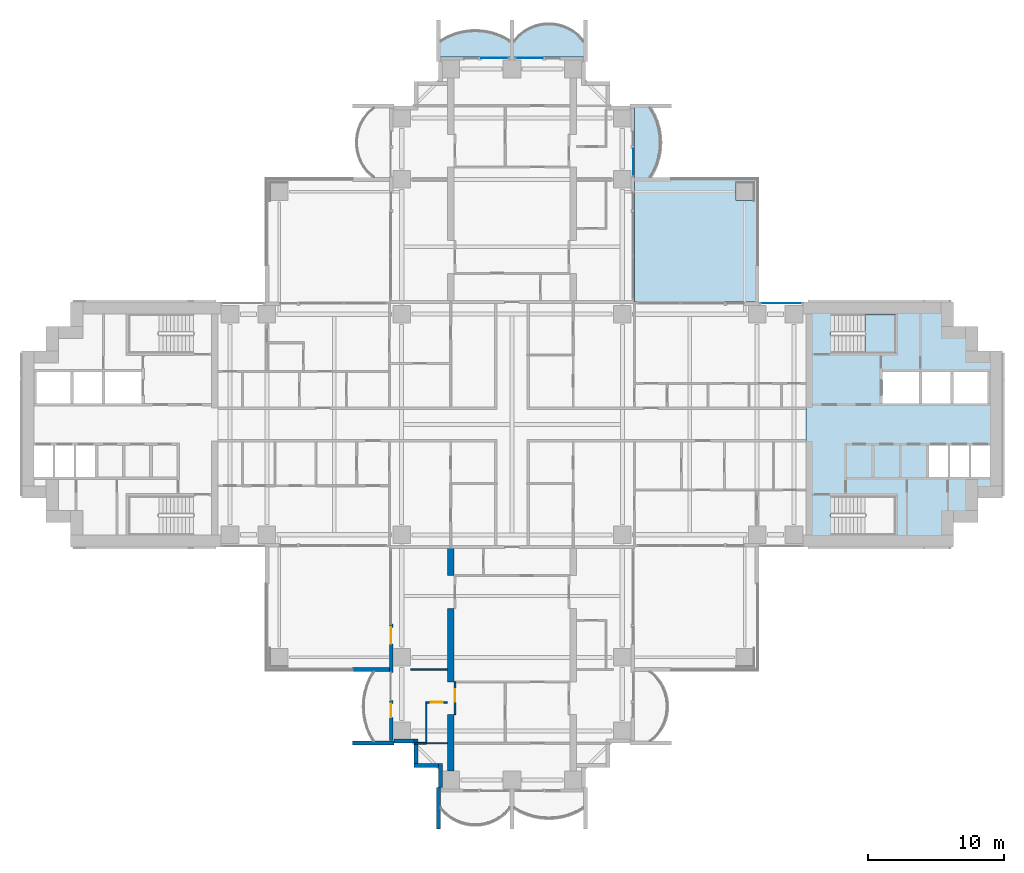
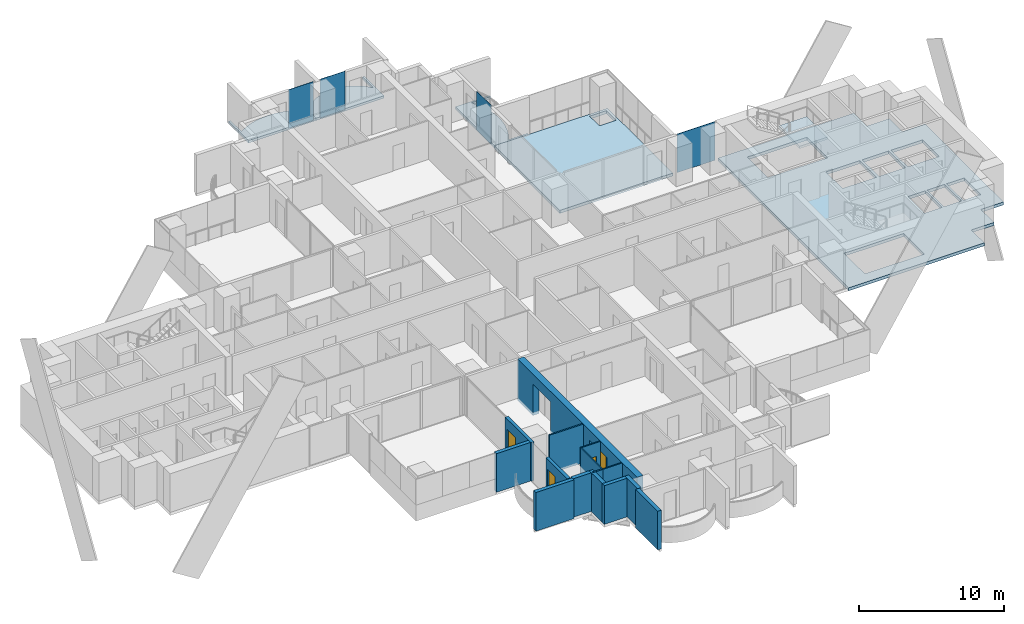
# One storey, part 10 of 23: 16 walls, 6 slabs, 4 doors, 4 plates, 4 openings, 5 elements without a shape of their own.
"""IFC4 building model written with IfcOpenShell, lengths in metres."""

from ifc_helpers import new_model, si_unit, direction, frame, frame_2d, origin, origin_2d, place, context, subcontext, project, spatial, polyline, rectangle, outline, extrude, material, layer, layer_set, material_profile, profile_set, type_object, element, fill, aggregate, save


model = new_model("IFC4")

# Units and contexts
model_context = context("Model", 3, precision=1e-05, world=origin(), true_north=direction((0.0, 1.0)))
body_context = subcontext(model_context, "Body", "Model", "MODEL_VIEW")
ifc_project = project(units=[si_unit("LENGTHUNIT", "METRE"), si_unit("AREAUNIT", "SQUARE_METRE"), si_unit("VOLUMEUNIT", "CUBIC_METRE"), si_unit("PLANEANGLEUNIT", "RADIAN"), si_unit("MASSUNIT", "GRAM", prefix="KILO")], contexts=[model_context])

# Site, building, storey
site_placement = place(None, origin())
site = spatial("IfcSite", under=ifc_project, at=site_placement, CompositionType="ELEMENT")
building_placement = place(site_placement, origin())
building = spatial("IfcBuilding", under=site, at=building_placement, Name="Perihelion Cross Residences", CompositionType="ELEMENT")
storey_placement = place(building_placement, frame((0.0, 0.0, 36.5)))
storey = spatial("IfcBuildingStorey", under=building, at=storey_placement, Name="L05", CompositionType="ELEMENT", Elevation=36.5)

# Slabs
ifc_material_1 = material(Name="Concrete C40/50", Category="concrete")
ifc_layer_1 = layer(ifc_material_1, 0.199951171875)
ifc_layer_set_1 = layer_set([ifc_layer_1], Name="Balcony slab 200")
slab_type_1 = type_object("IfcSlabType", Name="Balcony slab 200", PredefinedType="FLOOR", material=ifc_layer_set_1)
slab_1_placement = place(storey_placement, frame((0.0, 0.0, -0.199951171875)))
element("IfcSlab", 1, at=slab_1_placement, inside=storey, type_object=slab_type_1, Name="Slab BK1 L05 north side east bay 2 balcony", PredefinedType="FLOOR", context=body_context, shape_type="SweptSolid", body=[
    extrude(outline(polyline([(9.0, 18.0), (9.0, 23.39990234375), (11.699951171875, 23.39990234375), (11.699951171875, 23.25), (10.199951171875, 23.25), (10.4853515625, 22.739990234375), (10.694580078125, 22.22998046875), (10.838134765625, 21.719970703125), (10.92236328125, 21.2099609375), (10.949951171875, 20.699951171875), (10.92236328125, 20.18994140625), (10.838134765625, 19.679931640625), (10.694580078125, 19.169921875), (10.4853515625, 18.659912109375), (10.199951171875, 18.14990234375), (11.699951171875, 18.14990234375), (11.699951171875, 18.0), (9.0, 18.0)])), origin(), (0.0, 0.0, 1.0), 0.199951171875),
])
slab_2_placement = place(storey_placement, frame((0.0, 0.0, -0.199951171875)))
element("IfcSlab", 2, at=slab_2_placement, inside=storey, type_object=slab_type_1, Name="Slab BK1 L05 north tip north bay 1 balcony", PredefinedType="FLOOR", context=body_context, shape_type="SweptSolid", body=[
    extrude(outline(polyline([(5.39990234375, 27.0), (0.0, 27.0), (0.0, 29.699951171875), (0.14990234375, 29.699951171875), (0.14990234375, 28.199951171875), (0.542236328125, 28.622314453125), (0.9345703125, 28.924072265625), (1.326904296875, 29.143310546875), (1.71923828125, 29.29736328125), (2.111572265625, 29.39599609375), (2.50390625, 29.444091796875), (2.896240234375, 29.444091796875), (3.28857421875, 29.39599609375), (3.6806640625, 29.29736328125), (4.072998046875, 29.143310546875), (4.46533203125, 28.924072265625), (4.857666015625, 28.622314453125), (5.25, 28.199951171875), (5.25, 29.699951171875), (5.39990234375, 29.699951171875), (5.39990234375, 27.0)])), origin(), (0.0, 0.0, 1.0), 0.199951171875),
])
slab_3_placement = place(storey_placement, frame((0.0, 0.0, -0.199951171875)))
element("IfcSlab", 3, at=slab_3_placement, inside=storey, type_object=slab_type_1, Name="Slab BK1 L05 north tip north bay 2 balcony", PredefinedType="FLOOR", context=body_context, shape_type="SweptSolid", body=[
    extrude(outline(polyline([(0.0, 27.0), (-5.39990234375, 27.0), (-5.39990234375, 29.699951171875), (-5.25, 29.699951171875), (-5.25, 28.199951171875), (-4.739990234375, 28.4853515625), (-4.22998046875, 28.694580078125), (-3.719970703125, 28.838134765625), (-3.2099609375, 28.92236328125), (-2.699951171875, 28.949951171875), (-2.18994140625, 28.92236328125), (-1.679931640625, 28.838134765625), (-1.169921875, 28.694580078125), (-0.659912109375, 28.4853515625), (-0.14990234375, 28.199951171875), (-0.14990234375, 29.699951171875), (0.0, 29.699951171875), (0.0, 27.0)])), origin(), (0.0, 0.0, 1.0), 0.199951171875),
])

# Curtain wall, plate
ifc_material_2 = material(Name="Bronze anodised aluminium, tinted glazing", Category="aluminium")
curtain_wall_type = type_object("IfcCurtainWallType", Name="CW1", PredefinedType="NOTDEFINED", material=ifc_material_2)
curtain_wall_1_placement = place(storey_placement, origin())
curtain_wall_1 = element("IfcCurtainWall", 4, at=curtain_wall_1_placement, inside=storey, type_object=curtain_wall_type, Name="Curtain wall CW1 L05 east side north bay 1", PredefinedType="NOTDEFINED")
ifc_material_3 = material(Name="Tinted laminated glass", Category="glass")
ifc_layer_2 = layer(ifc_material_3, 0.028076171875)
ifc_layer_set_2 = layer_set([ifc_layer_2], Name="CW1 panel")
plate_type = type_object("IfcPlateType", Name="CW1 panel", PredefinedType="CURTAIN_PANEL", material=ifc_layer_set_2)
plate_1_placement = place(storey_placement, frame((19.77490234375, 8.89990234375, 0.0), z_axis=(0.0, 0.0, 1.0), x_axis=(-1.0, 0.0, 0.0)))
plate_1 = element("IfcPlate", 5, at=plate_1_placement, type_object=plate_type, Name="CW1 panel 1", PredefinedType="CURTAIN_PANEL", context=body_context, shape_type="SweptSolid", body=[
    extrude(rectangle(XDim=3.030029296875, YDim=0.028076171875, at=origin_2d()), origin(), (0.0, 0.0, 1.0), 3.25),
])
aggregate(curtain_wall_1, [plate_1])

curtain_wall_2_placement = place(storey_placement, origin())
curtain_wall_2 = element("IfcCurtainWall", 6, at=curtain_wall_2_placement, inside=storey, type_object=curtain_wall_type, Name="Curtain wall CW1 L05 north side east bay 2", PredefinedType="NOTDEFINED")
plate_2_placement = place(storey_placement, frame((8.89990234375, 19.2548828125, 0.0), z_axis=(0.0, 0.0, 1.0), x_axis=(0.0, 1.0, 0.0)))
plate_2 = element("IfcPlate", 7, at=plate_2_placement, type_object=plate_type, Name="CW1 panel 1", PredefinedType="CURTAIN_PANEL", context=body_context, shape_type="SweptSolid", body=[
    extrude(rectangle(XDim=1.989990234375, YDim=0.028076171875, at=origin_2d()), origin(), (0.0, 0.0, 1.0), 3.25),
])
aggregate(curtain_wall_2, [plate_2])

curtain_wall_3_placement = place(storey_placement, origin())
curtain_wall_3 = element("IfcCurtainWall", 8, at=curtain_wall_3_placement, inside=storey, type_object=curtain_wall_type, Name="Curtain wall CW1 L05 north tip north bay 1", PredefinedType="NOTDEFINED")
plate_3_placement = place(storey_placement, frame((1.2548828125, 26.89990234375, 0.0), z_axis=(0.0, 0.0, 1.0), x_axis=(-1.0, 0.0, 0.0)))
plate_3 = element("IfcPlate", 9, at=plate_3_placement, type_object=plate_type, Name="CW1 panel 1", PredefinedType="CURTAIN_PANEL", context=body_context, shape_type="SweptSolid", body=[
    extrude(rectangle(XDim=1.989990234375, YDim=0.028076171875, at=origin_2d()), origin(), (0.0, 0.0, 1.0), 3.25),
])
aggregate(curtain_wall_3, [plate_3])

curtain_wall_4_placement = place(storey_placement, origin())
curtain_wall_4 = element("IfcCurtainWall", 10, at=curtain_wall_4_placement, inside=storey, type_object=curtain_wall_type, Name="Curtain wall CW1 L05 north tip north bay 2", PredefinedType="NOTDEFINED")
plate_4_placement = place(storey_placement, frame((-1.2548828125, 26.89990234375, 0.0), z_axis=(0.0, 0.0, 1.0), x_axis=(-1.0, 0.0, 0.0)))
plate_4 = element("IfcPlate", 11, at=plate_4_placement, type_object=plate_type, Name="CW1 panel 1", PredefinedType="CURTAIN_PANEL", context=body_context, shape_type="SweptSolid", body=[
    extrude(rectangle(XDim=1.989990234375, YDim=0.028076171875, at=origin_2d()), origin(), (0.0, 0.0, 1.0), 3.25),
])
aggregate(curtain_wall_4, [plate_4])

# Slabs
ifc_material_4 = material(Name="Concrete C40/50", Category="concrete")
ifc_layer_3 = layer(ifc_material_4, 0.25)
ifc_layer_set_3 = layer_set([ifc_layer_3], Name="Core floor slab 250")
slab_type_2 = type_object("IfcSlabType", Name="Core floor slab 250", PredefinedType="FLOOR", material=ifc_layer_set_3)
slab_4_placement = place(storey_placement, frame((0.0, 0.0, -0.25)))
element("IfcSlab", 12, at=slab_4_placement, inside=storey, type_object=slab_type_2, Name="East core floor slab", PredefinedType="FLOOR", context=body_context, shape_type="SweptSolid", body=[
    extrude(outline(polyline([(32.39990234375, 7.199951171875), (34.199951171875, 7.199951171875), (34.199951171875, 5.39990234375), (36.0, 5.39990234375), (36.0, -5.39990234375), (34.199951171875, -5.39990234375), (34.199951171875, -7.199951171875), (32.39990234375, -7.199951171875), (32.39990234375, -9.0), (21.60009765625, -9.0), (21.60009765625, 9.0), (32.39990234375, 9.0), (32.39990234375, 7.199951171875)]), holes=[polyline([(23.405029296875, -8.10009765625), (28.14990234375, -8.10009765625), (28.14990234375, -5.25), (23.405029296875, -5.25), (23.405029296875, -8.10009765625)]), polyline([(30.60009765625, -1.550048828125), (30.60009765625, -3.85009765625), (32.0, -3.85009765625), (32.0, -1.550048828125), (30.60009765625, -1.550048828125)]), polyline([(32.14990234375, -1.550048828125), (32.14990234375, -3.85009765625), (33.550048828125, -3.85009765625), (33.550048828125, -1.550048828125), (32.14990234375, -1.550048828125)]), polyline([(33.699951171875, -1.550048828125), (33.699951171875, -3.85009765625), (35.10009765625, -3.85009765625), (35.10009765625, -1.550048828125), (33.699951171875, -1.550048828125)]), polyline([(27.199951171875, 3.85009765625), (27.199951171875, 1.550048828125), (29.89990234375, 1.550048828125), (29.89990234375, 3.85009765625), (27.199951171875, 3.85009765625)]), polyline([(30.10009765625, 3.85009765625), (30.10009765625, 1.550048828125), (32.199951171875, 1.550048828125), (32.199951171875, 3.85009765625), (30.10009765625, 3.85009765625)]), polyline([(32.39990234375, 3.85009765625), (32.39990234375, 1.550048828125), (34.89990234375, 1.550048828125), (34.89990234375, 3.85009765625), (32.39990234375, 3.85009765625)]), polyline([(23.405029296875, 5.25), (28.14990234375, 5.25), (28.14990234375, 8.10009765625), (23.405029296875, 8.10009765625), (23.405029296875, 5.25)])]), origin(), (0.0, 0.0, 1.0), 0.25),
])
ifc_material_5 = material(Name="Concrete C40/50", Category="concrete")
ifc_layer_4 = layer(ifc_material_5, 0.25)
ifc_layer_set_4 = layer_set([ifc_layer_4], Name="Corner terrace slab")
slab_type_3 = type_object("IfcSlabType", Name="Corner terrace slab", PredefinedType="FLOOR", material=ifc_layer_set_4)
slab_5_placement = place(storey_placement, frame((0.0, 0.0, -0.25)))
element("IfcSlab", 13, at=slab_5_placement, inside=storey, type_object=slab_type_3, Name="Slab BK2 L05 pocket north-east", PredefinedType="FLOOR", context=body_context, shape_type="SweptSolid", body=[
    extrude(outline(polyline([(18.0, 9.0), (18.0, 18.0), (9.0, 18.0), (9.0, 9.0), (18.0, 9.0)]), holes=[polyline([(16.449951171875, 16.449951171875), (16.449951171875, 17.7900390625), (17.7900390625, 17.7900390625), (17.7900390625, 16.409912109375), (17.75, 16.409912109375), (17.75, 16.449951171875), (16.449951171875, 16.449951171875)])]), origin(), (0.0, 0.0, 1.0), 0.25),
])

# Stair, slab
ifc_material_6 = material(Name="Concrete C40/50", Category="concrete")
stair_type = type_object("IfcStairType", Name="Exit stair, half-turn", PredefinedType="HALF_TURN_STAIR", material=ifc_material_6)
stair_placement = place(storey_placement, origin())
stair = element("IfcStair", 14, at=stair_placement, inside=storey, type_object=stair_type, Name="L05 East core exit stair 1", PredefinedType="HALF_TURN_STAIR")
ifc_material_7 = material(Name="Concrete C40/50", Category="concrete")
ifc_layer_5 = layer(ifc_material_7, 0.199951171875)
ifc_layer_set_5 = layer_set([ifc_layer_5], Name="Exit stair landing 200")
slab_type_4 = type_object("IfcSlabType", Name="Exit stair landing 200", PredefinedType="LANDING", material=ifc_layer_set_5)
slab_6_placement = place(storey_placement, frame((0.0, 0.0, 1.550048828125)))
slab_6 = element("IfcSlab", 15, at=slab_6_placement, type_object=slab_type_4, Name="ST-E1 landing 1", PredefinedType="LANDING", context=body_context, shape_type="SweptSolid", body=[
    extrude(outline(polyline([(25.919921875, 5.25), (28.14990234375, 5.25), (28.14990234375, 8.10009765625), (25.919921875, 8.10009765625), (25.919921875, 5.25)])), origin(), (0.0, 0.0, 1.0), 0.199951171875),
])
aggregate(stair, [slab_6])

# Wall, opening, door
ifc_material_8 = material(Name="Concrete C30/37, bronze-clad", Category="concrete")
ifc_layer_6 = layer(ifc_material_8, 0.25)
ifc_layer_set_6 = layer_set([ifc_layer_6], Name="Bronze-clad pier wall 250")
wall_type_1 = type_object("IfcWallType", Name="Bronze-clad pier wall 250", PredefinedType="SOLIDWALL", material=ifc_layer_set_6)
wall_1_placement = place(storey_placement, frame((-8.875, -14.64990234375, 0.0), z_axis=(0.0, 0.0, 1.0), x_axis=(0.0, -1.0, 0.0)))
wall_1 = element("IfcWall", 16, at=wall_1_placement, inside=storey, type_object=wall_type_1, Name="Wall FW1 L05 south side west bay 1 pier", PredefinedType="SOLIDWALL", context=body_context, shape_type="SweptSolid", body=[
    extrude(rectangle(XDim=3.550048828125, YDim=0.25, at=frame_2d((1.77490234375, 0.0))), origin(), (0.0, 0.0, 1.0), 3.25),
])
opening_1_placement = place(wall_1_placement, frame((0.25, 0.0, 0.0)))
opening_1 = element("IfcOpeningElement", 17, at=opening_1_placement, cuts=wall_1, Name="Opening L05.E10", PredefinedType="OPENING", context=body_context, shape_type="SweptSolid", body=[
    extrude(rectangle(XDim=1.199951171875, YDim=2.39990234375, at=frame_2d((0.60009765625, 1.199951171875))), frame((0.0, 0.135009765625, 0.0), z_axis=(0.0, -1.0, 0.0), x_axis=(1.0, 0.0, 0.0)), (0.0, 0.0, 1.0), 0.27001953125),
])
ifc_material_9 = material(Name="Bronze anodised aluminium, glazed", Category="aluminium")
door_type_1 = type_object("IfcDoorType", Name="Balcony door 1200 x 2400", OperationType="NOTDEFINED", PredefinedType="DOOR", material=ifc_material_9)
door_1_placement = place(opening_1_placement, origin())
door_1 = element("IfcDoor", 18, at=door_1_placement, inside=storey, type_object=door_type_1, Name="Door L05.E10 south side west bay 1", OperationType="SINGLE_SWING_LEFT", OverallHeight=2.39990234375, OverallWidth=1.199951171875, PredefinedType="DOOR", context=body_context, shape_type="SweptSolid", body=[
    extrude(rectangle(XDim=1.199951171875, YDim=2.39990234375, at=frame_2d((0.60009765625, 1.199951171875))), frame((0.0, 0.02490234375, 0.0), z_axis=(0.0, -1.0, 0.0), x_axis=(1.0, 0.0, 0.0)), (0.0, 0.0, 1.0), 0.050048828125),
])
fill(opening_1, door_1)

wall_2_placement = place(storey_placement, frame((-8.875, -20.25, 0.0), z_axis=(0.0, 0.0, 1.0), x_axis=(0.0, -1.0, 0.0)))
wall_2 = element("IfcWall", 19, at=wall_2_placement, inside=storey, type_object=wall_type_1, Name="Wall FW1 L05 south side west bay 2 pier", PredefinedType="SOLIDWALL", context=body_context, shape_type="SweptSolid", body=[
    extrude(rectangle(XDim=2.949951171875, YDim=0.25, at=frame_2d((1.47509765625, 0.0))), origin(), (0.0, 0.0, 1.0), 3.25),
])
opening_2_placement = place(wall_2_placement, frame((0.25, 0.0, 0.0)))
opening_2 = element("IfcOpeningElement", 20, at=opening_2_placement, cuts=wall_2, Name="Opening L05.E11", PredefinedType="OPENING", context=body_context, shape_type="SweptSolid", body=[
    extrude(rectangle(XDim=1.0, YDim=2.39990234375, at=frame_2d((0.5, 1.199951171875))), frame((0.0, 0.135009765625, 0.0), z_axis=(0.0, -1.0, 0.0), x_axis=(1.0, 0.0, 0.0)), (0.0, 0.0, 1.0), 0.27001953125),
])
ifc_material_10 = material(Name="Bronze anodised aluminium, glazed", Category="aluminium")
door_type_2 = type_object("IfcDoorType", Name="Balcony door 1000 x 2400", OperationType="NOTDEFINED", PredefinedType="DOOR", material=ifc_material_10)
door_2_placement = place(opening_2_placement, origin())
door_2 = element("IfcDoor", 21, at=door_2_placement, inside=storey, type_object=door_type_2, Name="Door L05.E11 south side west bay 2", OperationType="SINGLE_SWING_RIGHT", OverallHeight=2.39990234375, OverallWidth=1.0, PredefinedType="DOOR", context=body_context, shape_type="SweptSolid", body=[
    extrude(rectangle(XDim=1.0, YDim=2.39990234375, at=frame_2d((0.5, 1.199951171875))), frame((0.0, 0.02490234375, 0.0), z_axis=(0.0, -1.0, 0.0), x_axis=(1.0, 0.0, 0.0)), (0.0, 0.0, 1.0), 0.050048828125),
])
fill(opening_2, door_2)

# Walls
ifc_material_11 = material(Name="Concrete C30/37, bronze-clad", Category="concrete")
ifc_layer_7 = layer(ifc_material_11, 0.300048828125)
ifc_layer_set_7 = layer_set([ifc_layer_7], Name="Bronze-clad serration wall 300")
wall_type_2 = type_object("IfcWallType", Name="Bronze-clad serration wall 300", PredefinedType="SOLIDWALL", material=ifc_layer_set_7)
wall_3_placement = place(storey_placement, frame((-8.64990234375, -23.25, 0.0), z_axis=(0.0, 0.0, 1.0), x_axis=(1.0, 0.0, 0.0)))
element("IfcWall", 22, at=wall_3_placement, inside=storey, type_object=wall_type_2, Name="Wall SR1 L05 south corner south-west 1", PredefinedType="SOLIDWALL", context=body_context, shape_type="SweptSolid", body=[
    extrude(rectangle(XDim=1.449951171875, YDim=0.300048828125, at=frame_2d((0.72509765625, 0.0))), origin(), (0.0, 0.0, 1.0), 3.25),
])
wall_4_placement = place(storey_placement, frame((-7.050048828125, -23.10009765625, 0.0), z_axis=(0.0, 0.0, 1.0), x_axis=(0.0, -1.0, 0.0)))
element("IfcWall", 23, at=wall_4_placement, inside=storey, type_object=wall_type_2, Name="Wall SR1 L05 south corner south-west 2", PredefinedType="SOLIDWALL", context=body_context, shape_type="SweptSolid", body=[
    extrude(rectangle(XDim=1.7998046875, YDim=0.300048828125, at=frame_2d((0.89990234375, 0.0))), origin(), (0.0, 0.0, 1.0), 3.25),
])
wall_5_placement = place(storey_placement, frame((-7.199951171875, -25.050048828125, 0.0), z_axis=(0.0, 0.0, 1.0), x_axis=(1.0, 0.0, 0.0)))
element("IfcWall", 24, at=wall_5_placement, inside=storey, type_object=wall_type_2, Name="Wall SR1 L05 south corner south-west 3", PredefinedType="SOLIDWALL", context=body_context, shape_type="SweptSolid", body=[
    extrude(rectangle(XDim=1.800048828125, YDim=0.300048828125, at=frame_2d((0.89990234375, 0.0))), origin(), (0.0, 0.0, 1.0), 3.25),
])
wall_6_placement = place(storey_placement, frame((-5.25, -24.89990234375, 0.0), z_axis=(0.0, 0.0, 1.0), x_axis=(0.0, -1.0, 0.0)))
element("IfcWall", 25, at=wall_6_placement, inside=storey, type_object=wall_type_2, Name="Wall SR1 L05 south corner south-west 4", PredefinedType="SOLIDWALL", context=body_context, shape_type="SweptSolid", body=[
    extrude(rectangle(XDim=1.75, YDim=0.300048828125, at=frame_2d((0.875, 0.0))), origin(), (0.0, 0.0, 1.0), 3.25),
])

# Wall, opening, door
ifc_material_12 = material(Name="Plasterboard partition")
ifc_layer_8 = layer(ifc_material_12, 0.1201171875)
ifc_layer_set_8 = layer_set([ifc_layer_8], Name="Infill panel 120")
wall_type_3 = type_object("IfcWallType", Name="Infill panel 120", PredefinedType="PARTITIONING", material=ifc_layer_set_8)
wall_7_placement = place(storey_placement, frame((-4.18994140625, -18.89990234375, 0.0), z_axis=(0.0, 0.0, 1.0), x_axis=(0.0, -1.0, 0.0)))
wall_7 = element("IfcWall", 26, at=wall_7_placement, inside=storey, type_object=wall_type_3, Name="Partition L05 WI08", PredefinedType="PARTITIONING", context=body_context, shape_type="SweptSolid", body=[
    extrude(rectangle(XDim=2.400146484375, YDim=0.1201171875, at=frame_2d((1.2001953125, 0.0))), origin(), (0.0, 0.0, 1.0), 2.39990234375),
])
opening_3_placement = place(wall_7_placement, frame((0.550048828125, 0.0, 0.0)))
opening_3 = element("IfcOpeningElement", 27, at=opening_3_placement, cuts=wall_7, Name="Opening L05.A61", PredefinedType="OPENING", context=body_context, shape_type="SweptSolid", body=[
    extrude(rectangle(XDim=0.89990234375, YDim=2.10009765625, at=frame_2d((0.449951171875, 1.050048828125))), frame((0.0, 0.070068359375, 0.0), z_axis=(0.0, -1.0, 0.0), x_axis=(1.0, 0.0, 0.0)), (0.0, 0.0, 1.0), 0.14013671875),
])
ifc_material_13 = material(Name="Timber door leaf", Category="wood")
door_type_3 = type_object("IfcDoorType", Name="Interior room door 900 x 2100", OperationType="SINGLE_SWING_LEFT", PredefinedType="DOOR", material=ifc_material_13)
door_3_placement = place(opening_3_placement, origin())
door_3 = element("IfcDoor", 28, at=door_3_placement, inside=storey, type_object=door_type_3, Name="Door L05.A61", OperationType="SINGLE_SWING_LEFT", OverallHeight=2.10009765625, OverallWidth=0.89990234375, PredefinedType="DOOR", context=body_context, shape_type="SweptSolid", body=[
    extrude(rectangle(XDim=0.89990234375, YDim=2.10009765625, at=frame_2d((0.449951171875, 1.050048828125))), frame((0.0, 0.02490234375, 0.0), z_axis=(0.0, -1.0, 0.0), x_axis=(1.0, 0.0, 0.0)), (0.0, 0.0, 1.0), 0.050048828125),
])
fill(opening_3, door_3)

# Walls
ifc_material_14 = material(Name="Plasterboard partition")
ifc_layer_9 = layer(ifc_material_14, 0.1201171875)
ifc_layer_set_9 = layer_set([ifc_layer_9], Name="Partition wall 120")
wall_type_4 = type_object("IfcWallType", Name="Partition wall 120", PredefinedType="PARTITIONING", material=ifc_layer_set_9)
wall_8_placement = place(storey_placement, frame((-4.75, -18.0, 0.0), z_axis=(0.0, 0.0, 1.0), x_axis=(-1.0, 0.0, 0.0)))
element("IfcWall", 29, at=wall_8_placement, inside=storey, type_object=wall_type_4, Name="Partition L05 W083", PredefinedType="PARTITIONING", context=body_context, shape_type="SweptSolid", body=[
    extrude(rectangle(XDim=2.699951171875, YDim=0.1201171875, at=frame_2d((1.35009765625, 0.0))), origin(), (0.0, 0.0, 1.0), 3.25),
])
wall_9_placement = place(storey_placement, frame((-6.300048828125, -23.39990234375, 0.0), z_axis=(0.0, 0.0, 1.0), x_axis=(-1.0, 0.0, 0.0)))
element("IfcWall", 30, at=wall_9_placement, inside=storey, type_object=wall_type_4, Name="Partition L05 W086", PredefinedType="PARTITIONING", context=body_context, shape_type="SweptSolid", body=[
    extrude(rectangle(XDim=0.820068359375, YDim=0.1201171875, at=frame_2d((0.41015625, 0.0))), origin(), (0.0, 0.0, 1.0), 3.25),
])
ifc_material_15 = material(Name="Precast concrete C50/60", Category="concrete")
ifc_layer_10 = layer(ifc_material_15, 0.300048828125)
ifc_layer_set_10 = layer_set([ifc_layer_10], Name="Precast concrete C50/60 blade wall 300")
wall_type_5 = type_object("IfcWallType", Name="Precast concrete C50/60 blade wall 300", PredefinedType="SOLIDWALL", material=ifc_layer_set_10)
wall_10_placement = place(storey_placement, frame((-8.64990234375, -23.39990234375, 0.0), z_axis=(0.0, 0.0, 1.0), x_axis=(-1.0, 0.0, 0.0)))
element("IfcWall", 31, at=wall_10_placement, inside=storey, type_object=wall_type_5, Name="Wall BL1 L05 no. 6", PredefinedType="SOLIDWALL", context=body_context, shape_type="SweptSolid", body=[
    extrude(rectangle(XDim=3.050048828125, YDim=0.300048828125, at=frame_2d((1.52490234375, 0.0))), origin(), (0.0, 0.0, 1.0), 3.25),
])
wall_11_placement = place(storey_placement, frame((-9.0, -18.0, 0.0), z_axis=(0.0, 0.0, 1.0), x_axis=(-1.0, 0.0, 0.0)))
element("IfcWall", 32, at=wall_11_placement, inside=storey, type_object=wall_type_5, Name="Wall BL1 L05 no. 5", PredefinedType="SOLIDWALL", context=body_context, shape_type="SweptSolid", body=[
    extrude(rectangle(XDim=2.699951171875, YDim=0.300048828125, at=frame_2d((1.35009765625, 0.0))), origin(), (0.0, 0.0, 1.0), 3.25),
])
wall_12_placement = place(storey_placement, frame((-5.39990234375, -26.64990234375, 0.0), z_axis=(0.0, 0.0, 1.0), x_axis=(0.0, -1.0, 0.0)))
element("IfcWall", 33, at=wall_12_placement, inside=storey, type_object=wall_type_5, Name="Wall BL1 L05 no. 3", PredefinedType="SOLIDWALL", context=body_context, shape_type="SweptSolid", body=[
    extrude(rectangle(XDim=3.050048828125, YDim=0.300048828125, at=frame_2d((1.52490234375, 0.0))), origin(), (0.0, 0.0, 1.0), 3.25),
])
ifc_material_16 = material(Name="Concrete C60/75", Category="concrete")
ifc_material_profile = material_profile(ifc_material_16, outline(polyline([(0.0, 0.0), (4.14990234375, 0.0), (4.14990234375, 2.64990234375), (6.550048828125, 2.64990234375), (6.550048828125, 0.0), (11.949951171875, 0.0), (11.949951171875, 2.64990234375), (14.35009765625, 2.64990234375), (14.35009765625, 0.0), (16.449951171875, 0.0), (16.449951171875, 3.5), (0.0, 3.5), (0.0, 0.0)])), Name="Tip spine wall")
ifc_profile_set = profile_set([ifc_material_profile], Name="Concrete C60/75")
wall_type_6 = type_object("IfcWallType", Name="Tip spine wall 500 with 2 door openings 16450 long 3500 high concrete C60/75", PredefinedType="SHEAR", material=ifc_profile_set)
wall_13_placement = place(storey_placement, frame((-4.75, -25.449951171875, -0.25), z_axis=(1.0, 0.0, 0.0), x_axis=(0.0, 1.0, 0.0)))
element("IfcWall", 34, at=wall_13_placement, inside=storey, type_object=wall_type_6, Name="Shear wall SW22 L05 south west", PredefinedType="SHEAR", context=body_context, shape_type="SweptSolid", body=[
    extrude(outline(polyline([(0.0, 0.0), (4.14990234375, 0.0), (4.14990234375, 2.64990234375), (6.550048828125, 2.64990234375), (6.550048828125, 0.0), (11.949951171875, 0.0), (11.949951171875, 2.64990234375), (14.35009765625, 2.64990234375), (14.35009765625, 0.0), (16.449951171875, 0.0), (16.449951171875, 3.5), (0.0, 3.5), (0.0, 0.0)])), origin(), (0.0, 0.0, 1.0), 0.5),
])

# Wall, opening, door
ifc_material_17 = material(Name="Plasterboard partition")
ifc_layer_11 = layer(ifc_material_17, 0.10009765625)
ifc_layer_set_11 = layer_set([ifc_layer_11], Name="Wet room wall 100")
wall_type_7 = type_object("IfcWallType", Name="Wet room wall 100", PredefinedType="PARTITIONING", material=ifc_layer_set_11)
wall_14_placement = place(storey_placement, frame((-4.75, -20.39990234375, 0.0), z_axis=(0.0, 0.0, 1.0), x_axis=(-1.0, 0.0, 0.0)))
wall_14 = element("IfcWall", 35, at=wall_14_placement, inside=storey, type_object=wall_type_7, Name="Partition L05 W084", PredefinedType="PARTITIONING", context=body_context, shape_type="SweptSolid", body=[
    extrude(rectangle(XDim=1.60009765625, YDim=0.10009765625, at=frame_2d((0.800048828125, 0.0))), origin(), (0.0, 0.0, 1.0), 3.25),
])
opening_4_placement = place(wall_14_placement, frame((0.35009765625, 0.0, 0.0)))
opening_4 = element("IfcOpeningElement", 36, at=opening_4_placement, cuts=wall_14, Name="Opening L05.A49", PredefinedType="OPENING", context=body_context, shape_type="SweptSolid", body=[
    extrude(rectangle(XDim=0.85009765625, YDim=2.10009765625, at=frame_2d((0.425048828125, 1.050048828125))), frame((0.0, 0.06005859375, 0.0), z_axis=(0.0, -1.0, 0.0), x_axis=(1.0, 0.0, 0.0)), (0.0, 0.0, 1.0), 0.1201171875),
])
ifc_material_18 = material(Name="Timber door leaf", Category="wood")
door_type_4 = type_object("IfcDoorType", Name="Interior bathroom door 850 x 2100", OperationType="SINGLE_SWING_LEFT", PredefinedType="DOOR", material=ifc_material_18)
door_4_placement = place(opening_4_placement, origin())
door_4 = element("IfcDoor", 37, at=door_4_placement, inside=storey, type_object=door_type_4, Name="Door L05.A49", OperationType="SINGLE_SWING_LEFT", OverallHeight=2.10009765625, OverallWidth=0.85009765625, PredefinedType="DOOR", context=body_context, shape_type="SweptSolid", body=[
    extrude(rectangle(XDim=0.85009765625, YDim=2.10009765625, at=frame_2d((0.425048828125, 1.050048828125))), frame((0.0, 0.02490234375, 0.0), z_axis=(0.0, -1.0, 0.0), x_axis=(1.0, 0.0, 0.0)), (0.0, 0.0, 1.0), 0.050048828125),
])
fill(opening_4, door_4)

# Walls
wall_15_placement = place(storey_placement, frame((-6.300048828125, -20.449951171875, 0.0), z_axis=(0.0, 0.0, 1.0), x_axis=(0.0, -1.0, 0.0)))
element("IfcWall", 38, at=wall_15_placement, inside=storey, type_object=wall_type_7, Name="Partition L05 W085", PredefinedType="PARTITIONING", context=body_context, shape_type="SweptSolid", body=[
    extrude(rectangle(XDim=2.89013671875, YDim=0.10009765625, at=frame_2d((1.445068359375, 0.0))), origin(), (0.0, 0.0, 1.0), 3.25),
])
wall_16_placement = place(storey_placement, frame((-4.75, -23.39990234375, 0.0), z_axis=(0.0, 0.0, 1.0), x_axis=(-1.0, 0.0, 0.0)))
element("IfcWall", 39, at=wall_16_placement, inside=storey, type_object=wall_type_7, Name="Partition L05 W087", PredefinedType="PARTITIONING", context=body_context, shape_type="SweptSolid", body=[
    extrude(rectangle(XDim=1.550048828125, YDim=0.10009765625, at=frame_2d((0.77490234375, 0.0))), origin(), (0.0, 0.0, 1.0), 3.25),
])

save(model, "model.ifc")
